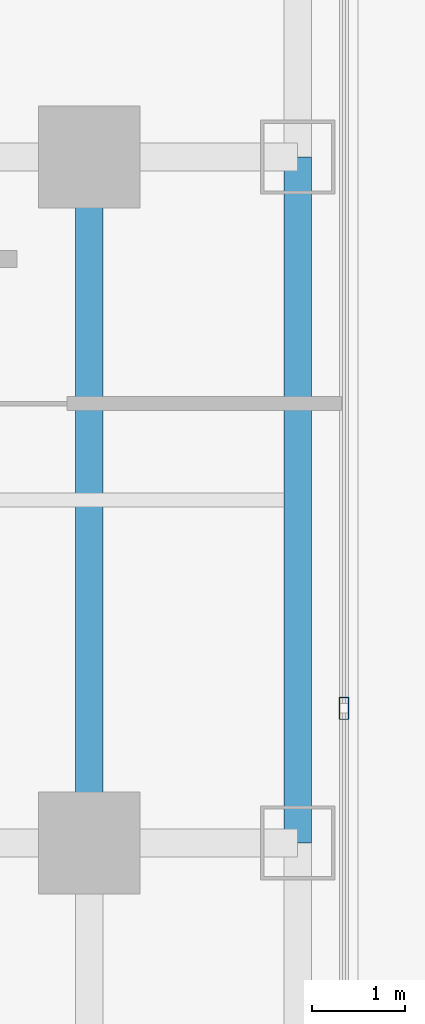
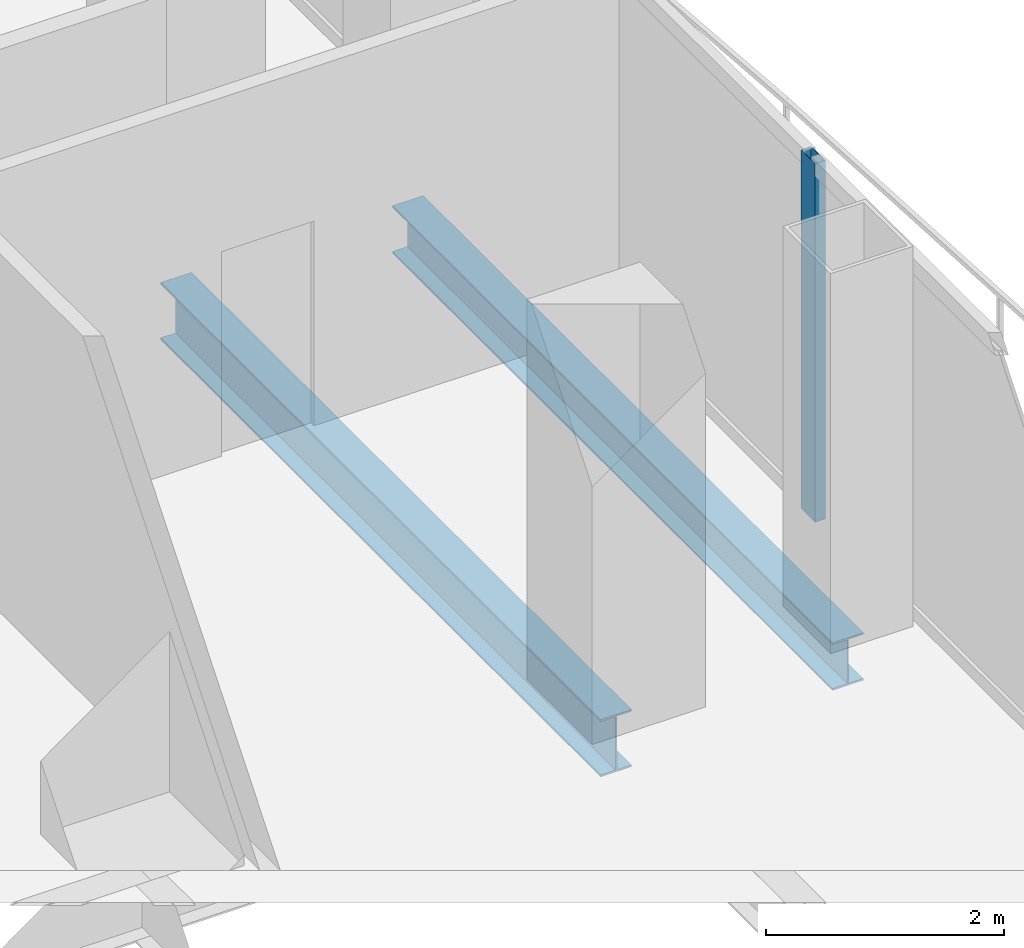
# One storey, part 11 of 27: 2 beams, 1 member, 1 element without a shape of its own.
"""IFC4 building model written with IfcOpenShell, lengths in metres."""

import ifcopenshell
import ifcopenshell.guid

model = None  # the IFC model being written
_history = None  # IfcOwnerHistory: only IFC2X3 demands one
_inside = {}  # id of a spatial element -> (the spatial element, [elements in it])
_under = {}  # id of a project, library or spatial element -> (it, [spatial elements below it])
_declared = {}  # id of a project -> (the project, [libraries it declares])
_typed = {}  # id of a type object -> (the type object, [elements of that type])
_made_of = {}  # id of a material, layer set ... -> (it, [elements and type objects made of it])


def new_model(schema):
    """Start an empty IFC model of exactly this schema.

    Asked for "IFC4X3", IfcOpenShell would pick the latest addendum, in which some entities
    have other attributes; the version numbers below select the first issue.
    IFC2X3 requires an IfcOwnerHistory on every rooted entity: one is made here for all.
    """
    global model, _history
    if schema == "IFC4X3":
        model = ifcopenshell.file(schema_version=(4, 3, 0, 0))
    else:
        model = ifcopenshell.file(schema=schema)
    _inside.clear()
    _under.clear()
    _declared.clear()
    _typed.clear()
    _made_of.clear()
    _history = None
    if model.schema == "IFC2X3":
        org = make("IfcOrganization", Name="unknown")
        user = make(
            "IfcPersonAndOrganization",
            ThePerson=make("IfcPerson", FamilyName="unknown"),
            TheOrganization=org,
        )
        app = make(
            "IfcApplication",
            ApplicationDeveloper=org,
            Version="unknown",
            ApplicationFullName="unknown",
            ApplicationIdentifier="unknown",
        )
        _history = make(
            "IfcOwnerHistory",
            OwningUser=user,
            OwningApplication=app,
            ChangeAction="ADDED",
            CreationDate=0,
        )
    return model


def make(cls, **values):
    """One entity of the class cls with the attributes given. An attribute that is None is left unset."""
    return model.create_entity(
        cls, **{name: value for name, value in values.items() if value is not None}
    )


def rooted(cls, **values):
    """An entity with a GlobalId (a new one), such as an element, a storey or a relation."""
    return make(cls, GlobalId=ifcopenshell.guid.new(), OwnerHistory=_history, **values)


def si_unit(unit_type, name, prefix=None):
    """IfcSIUnit, for example si_unit("LENGTHUNIT", "METRE", prefix="MILLI")."""
    return make("IfcSIUnit", UnitType=unit_type, Prefix=prefix, Name=name)


def assignment(units):
    """IfcUnitAssignment: the units of a project."""
    return None if units is None else make("IfcUnitAssignment", Units=units)


def point(xyz):
    """IfcCartesianPoint."""
    return None if xyz is None else make("IfcCartesianPoint", Coordinates=xyz)


def direction(xyz):
    """IfcDirection."""
    return None if xyz is None else make("IfcDirection", DirectionRatios=xyz)


def frame(location, z_axis=None, x_axis=None):
    """IfcAxis2Placement3D, a coordinate frame: its origin and axes. An axis left out is left unset."""
    return make(
        "IfcAxis2Placement3D",
        Location=point(location),
        Axis=direction(z_axis),
        RefDirection=direction(x_axis),
    )


def frame_2d(location, x_axis=None):
    """IfcAxis2Placement2D, a coordinate frame in the plane: its origin and x axis."""
    return make(
        "IfcAxis2Placement2D", Location=point(location), RefDirection=direction(x_axis)
    )


def origin():
    """The frame at (0, 0, 0) with its axes left unset."""
    return frame((0.0, 0.0, 0.0))


def origin_2d():
    """The frame at (0, 0) in the plane with its x axis left unset."""
    return frame_2d((0.0, 0.0))


def place(relative_to, where):
    """IfcLocalPlacement: puts the frame where relative to a parent placement (None: the world)."""
    return make(
        "IfcLocalPlacement", PlacementRelTo=relative_to, RelativePlacement=where
    )


def context(
    kind, dimensions, precision=None, world=None, true_north=None, identifier=None
):
    """IfcGeometricRepresentationContext, for example the 3D "Model" context."""
    return make(
        "IfcGeometricRepresentationContext",
        ContextIdentifier=identifier,
        ContextType=kind,
        CoordinateSpaceDimension=dimensions,
        Precision=precision,
        WorldCoordinateSystem=world,
        TrueNorth=true_north,
    )


def subcontext(parent, identifier, kind, view, scale=None):
    """IfcGeometricRepresentationSubContext, for example "Body" below "Model"."""
    return make(
        "IfcGeometricRepresentationSubContext",
        ContextIdentifier=identifier,
        ContextType=kind,
        ParentContext=parent,
        TargetScale=scale,
        TargetView=view,
    )


def project(units=None, contexts=None):
    """IfcProject with its units and contexts."""
    return rooted(
        "IfcProject",
        Name="project",
        RepresentationContexts=contexts,
        UnitsInContext=assignment(units),
    )


def spatial(cls, under=None, at=None, **own):
    """A site, building, storey or space (cls), placed at a placement, below another one or the project."""
    s = rooted(cls, ObjectPlacement=at, **own)
    if under is not None:
        _under.setdefault(under.id(), (under, []))[1].append(s)
    return s


def profile(cls, at=None, kind="AREA", **sizes):
    """A parametric profile (cls). Its sizes go by their IFC names, for example OverallWidth=200.0."""
    return make(cls, ProfileType=kind, Position=at, **sizes)


def hollow_rectangle(**sizes):
    """IfcRectangleHollowProfileDef."""
    return profile("IfcRectangleHollowProfileDef", **sizes)


def i_section(**sizes):
    """IfcIShapeProfileDef."""
    return profile("IfcIShapeProfileDef", **sizes)


def extrude(swept, where, along, depth):
    """IfcExtrudedAreaSolid: the profile swept, set in the frame where, extruded along a direction by depth."""
    return make(
        "IfcExtrudedAreaSolid",
        SweptArea=swept,
        Position=where,
        ExtrudedDirection=direction(along),
        Depth=depth,
    )


def shape(context_of_items, identifier, shape_type, items):
    """IfcShapeRepresentation: the items that make up one representation, for example the "Body"."""
    return make(
        "IfcShapeRepresentation",
        ContextOfItems=context_of_items,
        RepresentationIdentifier=identifier,
        RepresentationType=shape_type,
        Items=items,
    )


def material(Name=None, Category=None):
    """IfcMaterial."""
    return make("IfcMaterial", Name=Name, Category=Category)


def layer(
    of_material, thickness, ventilated=None, Name=None, Category=None, Priority=None
):
    """IfcMaterialLayer: one layer of a wall or slab, of a material (None: an air gap)."""
    return make(
        "IfcMaterialLayer",
        Material=of_material,
        LayerThickness=thickness,
        IsVentilated=ventilated,
        Name=Name,
        Category=Category,
        Priority=Priority,
    )


def layer_set(layers, Name=None):
    """IfcMaterialLayerSet."""
    return make("IfcMaterialLayerSet", MaterialLayers=layers, LayerSetName=Name)


def material_profile(
    of_material, cross_section, Name=None, Category=None, Priority=None
):
    """IfcMaterialProfile: a cross section and its material."""
    return make(
        "IfcMaterialProfile",
        Name=Name,
        Material=of_material,
        Profile=cross_section,
        Priority=Priority,
        Category=Category,
    )


def profile_set(profiles, Name=None, composite=None):
    """IfcMaterialProfileSet."""
    return make(
        "IfcMaterialProfileSet",
        Name=Name,
        MaterialProfiles=profiles,
        CompositeProfile=composite,
    )


def made_of(thing, what):
    """Note that an element or type object is made of a material, layer set ...; save() writes the relation."""
    if what is not None:
        _made_of.setdefault(what.id(), (what, []))[1].append(thing)
    return thing


def type_object(cls, material=None, **own):
    """A type object (cls), such as IfcWallType, which elements share."""
    return made_of(rooted(cls, **own), material)


def element(
    cls,
    number,
    at=None,
    inside=None,
    cuts=None,
    type_object=None,
    material=None,
    context=None,
    identifier="Body",
    shape_type=None,
    held_by="IfcProductDefinitionShape",
    body=None,
    shapes=None,
    **own,
):
    """One element of the class cls, such as IfcWall. Its Tag is "e" and its number.

    at: its placement. inside: the storey or other place that contains it. cuts: it is an
    opening in that element (IfcRelVoidsElement). A single representation is given by context,
    identifier, shape_type and body (its items); several are given by shapes. held_by: the class
    of the entity that holds the representations. save() writes the other relations.
    """
    e = rooted(cls, Tag="e%d" % number, ObjectPlacement=at, **own)
    if body is not None:
        shapes = [shape(context, identifier, shape_type, body)]
    if shapes is not None:
        e.Representation = make(held_by, Representations=shapes)
    if inside is not None:
        _inside.setdefault(inside.id(), (inside, []))[1].append(e)
    if cuts is not None:
        rooted(
            "IfcRelVoidsElement", RelatingBuildingElement=cuts, RelatedOpeningElement=e
        )
    if type_object is not None:
        _typed.setdefault(type_object.id(), (type_object, []))[1].append(e)
    return made_of(e, material)


def aggregate(whole, parts):
    """IfcRelAggregates: a whole, such as a stair, and the parts it consists of."""
    return rooted("IfcRelAggregates", RelatingObject=whole, RelatedObjects=parts)


def save(model, path):
    """Write the relations noted so far, then the file.

    IfcRelAggregates (storeys below a building ...), IfcRelContainedInSpatialStructure (elements
    in a storey), IfcRelDefinesByType, IfcRelAssociatesMaterial and IfcRelDeclares: one each for
    every whole, place, type object, material and project.
    """
    for whole, parts in _under.values():
        aggregate(whole, parts)
    for where, things in _inside.values():
        rooted(
            "IfcRelContainedInSpatialStructure",
            RelatedElements=things,
            RelatingStructure=where,
        )
    for kind, things in _typed.values():
        rooted("IfcRelDefinesByType", RelatedObjects=things, RelatingType=kind)
    for what, things in _made_of.values():
        rooted("IfcRelAssociatesMaterial", RelatedObjects=things, RelatingMaterial=what)
    for by, libraries in _declared.values():
        rooted("IfcRelDeclares", RelatingContext=by, RelatedDefinitions=libraries)
    model.write(path)


model = new_model("IFC4")

# Units and contexts
model_context = context("Model", 3, precision=1e-05, world=origin(), true_north=direction((0.0, 1.0)))
body_context = subcontext(model_context, "Body", "Model", "MODEL_VIEW")
ifc_project = project(units=[si_unit("LENGTHUNIT", "METRE"), si_unit("AREAUNIT", "SQUARE_METRE"), si_unit("VOLUMEUNIT", "CUBIC_METRE"), si_unit("PLANEANGLEUNIT", "RADIAN"), si_unit("MASSUNIT", "GRAM", prefix="KILO")], contexts=[model_context])

# Site, building, storey
site_placement = place(None, origin())
site = spatial("IfcSite", under=ifc_project, at=site_placement, CompositionType="ELEMENT")
building_placement = place(site_placement, origin())
building = spatial("IfcBuilding", under=site, at=building_placement, Name="Khorvyn Point Tower", CompositionType="ELEMENT")
storey_placement = place(building_placement, frame((0.0, 0.0, 96.89990234375)))
storey = spatial("IfcBuildingStorey", under=building, at=storey_placement, Name="L24", CompositionType="ELEMENT", Elevation=96.89990234375)

# Curtain wall, member
ifc_material_1 = material(Name="Anodised aluminium 6063-T6 and laminated Low-E glass", Category="aluminium")
ifc_layer = layer(ifc_material_1, 0.18994140625)
ifc_layer_set = layer_set([ifc_layer], Name="Stick-Built Finned Residential Curtain Wall CW-SYS-02")
curtain_wall_type = type_object("IfcCurtainWallType", Name="Stick-Built Finned Residential Curtain Wall CW-SYS-02", PredefinedType="NOTDEFINED", material=ifc_layer_set)
curtain_wall_placement = place(storey_placement, origin())
curtain_wall = element("IfcCurtainWall", 1, at=curtain_wall_placement, inside=storey, type_object=curtain_wall_type, Name="Curtain Wall", PredefinedType="NOTDEFINED")
ifc_material_2 = material(Name="Anodised aluminium 6063-T6", Category="aluminium")
ifc_material_profile_1 = material_profile(ifc_material_2, hollow_rectangle(XDim=0.10009765625, YDim=0.239990234375, WallThickness=0.0048828125, at=origin_2d()))
ifc_profile_set_1 = profile_set([ifc_material_profile_1], Name="Anodised aluminium 6063-T6 ALU-MUL-100x240")
member_type = type_object("IfcMemberType", Name="Anodised Aluminium 6063-T6 Mullion ALU-MUL-100x240", PredefinedType="MULLION", material=ifc_profile_set_1)
member_placement = place(storey_placement, frame((22.14990234375, 8.8515625, 0.0), z_axis=(0.0, 0.0, 1.0), x_axis=(1.0, 0.0, 0.0)))
member = element("IfcMember", 2, at=member_placement, type_object=member_type, Name="Transom", PredefinedType="MULLION", context=body_context, shape_type="SweptSolid", body=[
    extrude(hollow_rectangle(XDim=0.10009765625, YDim=0.239990234375, WallThickness=0.0048828125, at=origin_2d()), origin(), (0.0, 0.0, 1.0), 3.68017578125),
])
aggregate(curtain_wall, [member])

# Beams
ifc_material_3 = material(Name="Steel S355", Category="steel")
ifc_material_profile_2 = material_profile(ifc_material_3, i_section(OverallWidth=0.300048828125, OverallDepth=0.587890625, WebThickness=0.011962890625, FlangeThickness=0.02001953125, at=origin_2d()))
ifc_profile_set_2 = profile_set([ifc_material_profile_2], Name="Steel S355 H588x300x12x20")
beam_type_1 = type_object("IfcBeamType", Name="Steel S355 Beam H588x300x12x20", PredefinedType="BEAM", material=ifc_profile_set_2)
beam_1_placement = place(storey_placement, frame((19.39990234375, 7.39990234375, -0.513916015625), z_axis=(0.0, 1.0, 0.0), x_axis=(-1.0, 0.0, 0.0)))
element("IfcBeam", 3, at=beam_1_placement, inside=storey, type_object=beam_type_1, Name="Beam", PredefinedType="BEAM", context=body_context, shape_type="SweptSolid", body=[
    extrude(i_section(OverallWidth=0.300048828125, OverallDepth=0.587890625, WebThickness=0.011962890625, FlangeThickness=0.02001953125, at=origin_2d()), origin(), (0.0, 0.0, 1.0), 7.400146484375),
])
ifc_material_profile_3 = material_profile(ifc_material_3, i_section(OverallWidth=0.300048828125, OverallDepth=0.488037109375, WebThickness=0.010986328125, FlangeThickness=0.01806640625, at=origin_2d()))
ifc_profile_set_3 = profile_set([ifc_material_profile_3], Name="Steel S355 H488x300x11x18")
beam_type_2 = type_object("IfcBeamType", Name="Steel S355 Spandrel H488x300x11x18", PredefinedType="SPANDREL", material=ifc_profile_set_3)
beam_2_placement = place(storey_placement, frame((21.64990234375, 7.39990234375, -0.4638671875), z_axis=(0.0, 1.0, 0.0), x_axis=(-1.0, 0.0, 0.0)))
element("IfcBeam", 4, at=beam_2_placement, inside=storey, type_object=beam_type_2, Name="Beam", PredefinedType="SPANDREL", context=body_context, shape_type="SweptSolid", body=[
    extrude(i_section(OverallWidth=0.300048828125, OverallDepth=0.488037109375, WebThickness=0.010986328125, FlangeThickness=0.01806640625, at=origin_2d()), origin(), (0.0, 0.0, 1.0), 7.400146484375),
])

save(model, "model.ifc")
